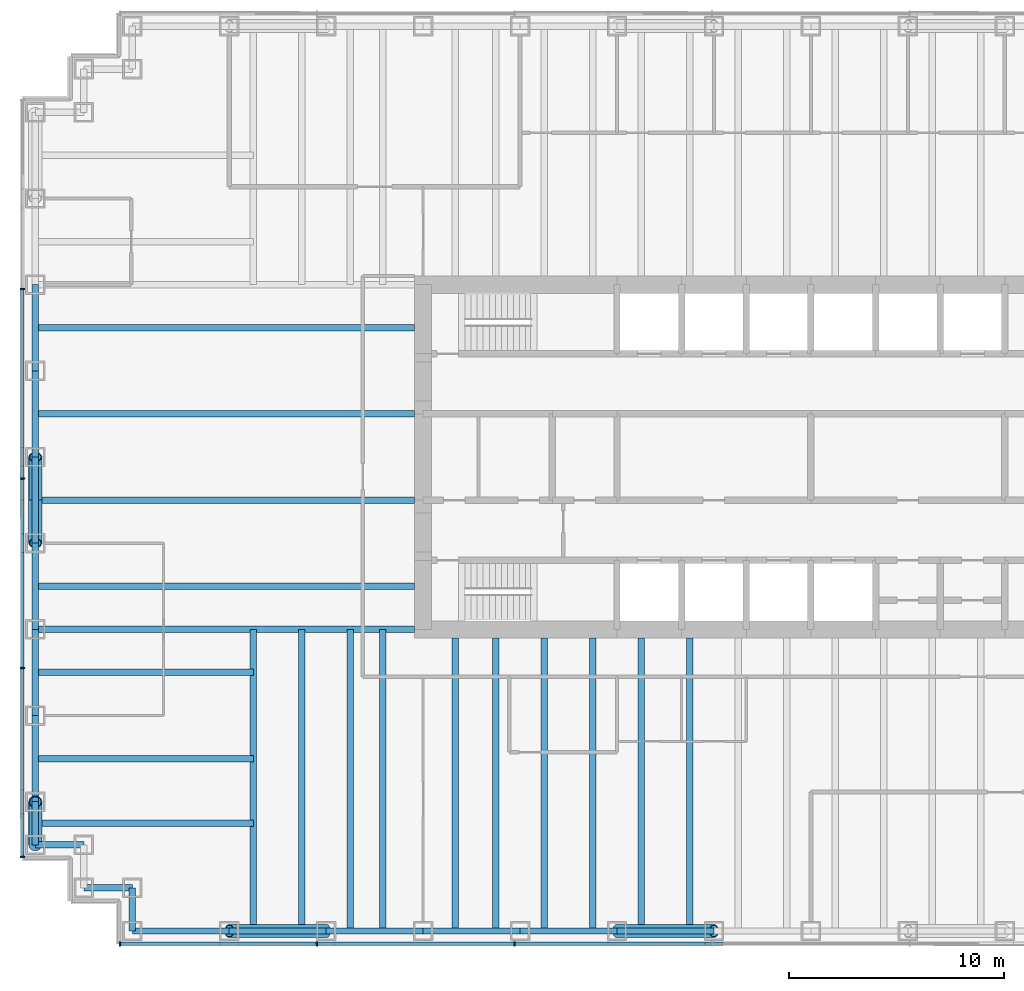
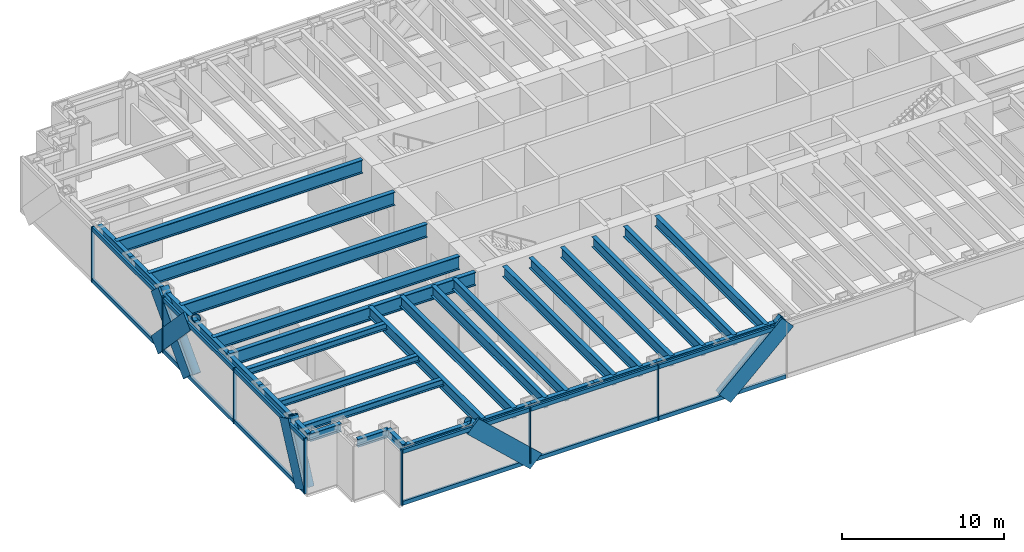
# One storey, part 2 of 15: 34 beams, 29 members, 2 elements without a shape of their own.
"""IFC4 building model written with IfcOpenShell, lengths in metres."""

from ifc_helpers import new_model, si_unit, direction, frame, origin, origin_2d, place, context, subcontext, project, spatial, rectangle, hollow_circle, i_section, extrude, material, material_profile, profile_set, type_object, element, aggregate, save


model = new_model("IFC4")

# Units and contexts
model_context = context("Model", 3, precision=1e-05, world=origin(), true_north=direction((0.0, 1.0)))
body_context = subcontext(model_context, "Body", "Model", "MODEL_VIEW")
ifc_project = project(units=[si_unit("LENGTHUNIT", "METRE"), si_unit("AREAUNIT", "SQUARE_METRE"), si_unit("VOLUMEUNIT", "CUBIC_METRE"), si_unit("PLANEANGLEUNIT", "RADIAN"), si_unit("MASSUNIT", "GRAM", prefix="KILO")], contexts=[model_context])

# Site, building, storey
site_placement = place(None, origin())
site = spatial("IfcSite", under=ifc_project, at=site_placement, CompositionType="ELEMENT")
building_placement = place(site_placement, origin())
building = spatial("IfcBuilding", under=site, at=building_placement, Name="Rheinbord Bourse Tower", CompositionType="ELEMENT")
storey_placement = place(building_placement, frame((0.0, 0.0, 236.199951171875)))
storey = spatial("IfcBuildingStorey", under=building, at=storey_placement, Name="L53", CompositionType="ELEMENT", Elevation=236.199951171875)

# Curtain wall, members
ifc_material_1 = material(Name="Dark glass and black aluminium", Category="aluminium")
curtain_wall_type = type_object("IfcCurtainWallType", Name="CW2 DARK GLASS CURTAIN WALL", PredefinedType="USERDEFINED", material=ifc_material_1)
curtain_wall_1_placement = place(storey_placement, origin())
curtain_wall_1 = element("IfcCurtainWall", 1, at=curtain_wall_1_placement, inside=storey, type_object=curtain_wall_type, Name="Curtain wall CW2 S L53", ObjectType="UNITISED CURTAIN WALL", PredefinedType="USERDEFINED")
ifc_material_2 = material(Name="Black anodised aluminium", Category="aluminium")
ifc_material_profile_1 = material_profile(ifc_material_2, rectangle(XDim=0.159912109375, YDim=1.2099609375, at=origin_2d()), Name="CW2 DIAGONAL MULLION 1210x160")
ifc_profile_set_1 = profile_set([ifc_material_profile_1], Name="Black anodised aluminium")
member_type_1 = type_object("IfcMemberType", Name="CW2 BLACK DIAGONAL MULLION", PredefinedType="USERDEFINED", material=ifc_profile_set_1)
member_1_placement = place(storey_placement, frame((13.5, 1.39990234375, 0.0), z_axis=(-0.73105922506, 0.0, 0.682314010889), x_axis=(0.0, -1.0, 0.0)))
member_1 = element("IfcMember", 2, at=member_1_placement, type_object=member_type_1, Name="CW2 diagonal mullion a", ObjectType="DIAGONAL MULLION", PredefinedType="USERDEFINED", context=body_context, shape_type="SweptSolid", body=[
    extrude(rectangle(XDim=0.159912109375, YDim=1.2099609375, at=origin_2d()), origin(), (0.0, 0.0, 1.0), 6.155517578125),
])
member_2_placement = place(storey_placement, frame((27.0, 1.39990234375, 0.0), z_axis=(0.73105922506, 0.0, 0.682314010889), x_axis=(0.0, 1.0, 0.0)))
member_2 = element("IfcMember", 3, at=member_2_placement, type_object=member_type_1, Name="CW2 diagonal mullion c", ObjectType="DIAGONAL MULLION", PredefinedType="USERDEFINED", context=body_context, shape_type="SweptSolid", body=[
    extrude(rectangle(XDim=0.159912109375, YDim=1.2099609375, at=origin_2d()), origin(), (0.0, 0.0, 1.0), 6.155517578125),
])

curtain_wall_2_placement = place(storey_placement, origin())
curtain_wall_2 = element("IfcCurtainWall", 4, at=curtain_wall_2_placement, inside=storey, type_object=curtain_wall_type, Name="Curtain wall CW2 W L53", ObjectType="UNITISED CURTAIN WALL", PredefinedType="USERDEFINED")
member_3_placement = place(storey_placement, frame((-0.60009765625, 6.0, 0.0), z_axis=(0.0, 0.429937654825, 0.902858578607), x_axis=(-1.0, 0.0, 0.0)))
member_3 = element("IfcMember", 5, at=member_3_placement, type_object=member_type_1, Name="CW2 diagonal mullion a", ObjectType="DIAGONAL MULLION", PredefinedType="USERDEFINED", context=body_context, shape_type="SweptSolid", body=[
    extrude(rectangle(XDim=0.159912109375, YDim=1.2099609375, at=origin_2d()), origin(), (0.0, 0.0, 1.0), 4.65185546875),
])
member_4_placement = place(storey_placement, frame((-0.60009765625, 20.0, 0.0), z_axis=(0.0, 0.689659376744, 0.724133926887), x_axis=(-1.0, 0.0, 0.0)))
member_4 = element("IfcMember", 6, at=member_4_placement, type_object=member_type_1, Name="CW2 diagonal mullion c", ObjectType="DIAGONAL MULLION", PredefinedType="USERDEFINED", context=body_context, shape_type="SweptSolid", body=[
    extrude(rectangle(XDim=0.159912109375, YDim=1.2099609375, at=origin_2d()), origin(), (0.0, 0.0, 1.0), 5.800048828125),
])
member_5_placement = place(storey_placement, frame((-0.60009765625, 24.0, 0.0), z_axis=(0.0, -0.689659376744, 0.724133926887), x_axis=(1.0, 0.0, 0.0)))
member_5 = element("IfcMember", 7, at=member_5_placement, type_object=member_type_1, Name="CW2 diagonal mullion d", ObjectType="DIAGONAL MULLION", PredefinedType="USERDEFINED", context=body_context, shape_type="SweptSolid", body=[
    extrude(rectangle(XDim=0.159912109375, YDim=1.2099609375, at=origin_2d()), origin(), (0.0, 0.0, 1.0), 5.800048828125),
])

# Member
ifc_material_3 = material(Name="Black anodised aluminium", Category="aluminium")
ifc_material_profile_2 = material_profile(ifc_material_3, rectangle(XDim=0.219970703125, YDim=0.070068359375, at=origin_2d()), Name="CW2 MULLION 70x220")
ifc_profile_set_2 = profile_set([ifc_material_profile_2], Name="Black anodised aluminium")
member_type_2 = type_object("IfcMemberType", Name="CW2 BLACK MULLION", PredefinedType="MULLION", material=ifc_profile_set_2)
member_6_placement = place(storey_placement, frame((3.93505859375, 1.39990234375, 0.0), z_axis=(0.0, 0.0, 1.0), x_axis=(0.0, 1.0, 0.0)))
member_6 = element("IfcMember", 8, at=member_6_placement, type_object=member_type_2, Name="CW2 mullion 1", PredefinedType="MULLION", context=body_context, shape_type="SweptSolid", body=[
    extrude(rectangle(XDim=0.219970703125, YDim=0.070068359375, at=origin_2d()), origin(), (0.0, 0.0, 1.0), 4.199951171875),
])

member_7_placement = place(storey_placement, frame((13.071533203125, 1.39990234375, 0.0), z_axis=(0.0, 0.0, 1.0), x_axis=(0.0, 1.0, 0.0)))
member_7 = element("IfcMember", 9, at=member_7_placement, type_object=member_type_2, Name="CW2 mullion 2", PredefinedType="MULLION", context=body_context, shape_type="SweptSolid", body=[
    extrude(rectangle(XDim=0.219970703125, YDim=0.070068359375, at=origin_2d()), origin(), (0.0, 0.0, 1.0), 4.199951171875),
])

member_8_placement = place(storey_placement, frame((22.242919921875, 1.39990234375, 0.0), z_axis=(0.0, 0.0, 1.0), x_axis=(0.0, 1.0, 0.0)))
member_8 = element("IfcMember", 10, at=member_8_placement, type_object=member_type_2, Name="CW2 mullion 3", PredefinedType="MULLION", context=body_context, shape_type="SweptSolid", body=[
    extrude(rectangle(XDim=0.219970703125, YDim=0.070068359375, at=origin_2d()), origin(), (0.0, 0.0, 1.0), 4.199951171875),
])

member_9_placement = place(storey_placement, frame((-0.60009765625, 31.800048828125, 0.0), z_axis=(0.0, 0.0, 1.0), x_axis=(1.0, 0.0, 0.0)))
member_9 = element("IfcMember", 11, at=member_9_placement, type_object=member_type_2, Name="CW2 mullion 2", PredefinedType="MULLION", context=body_context, shape_type="SweptSolid", body=[
    extrude(rectangle(XDim=0.219970703125, YDim=0.070068359375, at=origin_2d()), origin(), (0.0, 0.0, 1.0), 4.199951171875),
])

member_10_placement = place(storey_placement, frame((-0.60009765625, 23.0, 0.0), z_axis=(0.0, 0.0, 1.0), x_axis=(1.0, 0.0, 0.0)))
member_10 = element("IfcMember", 12, at=member_10_placement, type_object=member_type_2, Name="CW2 mullion 3", PredefinedType="MULLION", context=body_context, shape_type="SweptSolid", body=[
    extrude(rectangle(XDim=0.219970703125, YDim=0.070068359375, at=origin_2d()), origin(), (0.0, 0.0, 1.0), 4.199951171875),
])

member_11_placement = place(storey_placement, frame((-0.60009765625, 14.199951171875, 0.0), z_axis=(0.0, 0.0, 1.0), x_axis=(1.0, 0.0, 0.0)))
member_11 = element("IfcMember", 13, at=member_11_placement, type_object=member_type_2, Name="CW2 mullion 4", PredefinedType="MULLION", context=body_context, shape_type="SweptSolid", body=[
    extrude(rectangle(XDim=0.219970703125, YDim=0.070068359375, at=origin_2d()), origin(), (0.0, 0.0, 1.0), 4.199951171875),
])

member_12_placement = place(storey_placement, frame((-0.60009765625, 5.43505859375, 0.0), z_axis=(0.0, 0.0, 1.0), x_axis=(1.0, 0.0, 0.0)))
member_12 = element("IfcMember", 14, at=member_12_placement, type_object=member_type_2, Name="CW2 mullion 5", PredefinedType="MULLION", context=body_context, shape_type="SweptSolid", body=[
    extrude(rectangle(XDim=0.219970703125, YDim=0.070068359375, at=origin_2d()), origin(), (0.0, 0.0, 1.0), 4.199951171875),
])

ifc_material_4 = material(Name="Black anodised aluminium", Category="aluminium")
ifc_material_profile_3 = material_profile(ifc_material_4, rectangle(XDim=0.159912109375, YDim=0.300048828125, at=origin_2d()), Name="CW2 TRANSOM 300x160")
ifc_profile_set_3 = profile_set([ifc_material_profile_3], Name="Black anodised aluminium")
member_type_3 = type_object("IfcMemberType", Name="CW2 BLACK TRANSOM", PredefinedType="USERDEFINED", material=ifc_profile_set_3)
member_13_placement = place(storey_placement, frame((3.969970703125, 1.39990234375, 0.150146484375), z_axis=(1.0, 0.0, 0.0), x_axis=(0.0, 1.0, 0.0)))
member_13 = element("IfcMember", 15, at=member_13_placement, type_object=member_type_3, Name="CW2 transom 1.1", ObjectType="TRANSOM", PredefinedType="USERDEFINED", context=body_context, shape_type="SweptSolid", body=[
    extrude(rectangle(XDim=0.159912109375, YDim=0.300048828125, at=origin_2d()), origin(), (0.0, 0.0, 1.0), 9.06640625),
])

member_14_placement = place(storey_placement, frame((3.969970703125, 1.39990234375, 4.050048828125), z_axis=(1.0, 0.0, 0.0), x_axis=(0.0, 1.0, 0.0)))
member_14 = element("IfcMember", 16, at=member_14_placement, type_object=member_type_3, Name="CW2 transom 1.2", ObjectType="TRANSOM", PredefinedType="USERDEFINED", context=body_context, shape_type="SweptSolid", body=[
    extrude(rectangle(XDim=0.159912109375, YDim=0.300048828125, at=origin_2d()), origin(), (0.0, 0.0, 1.0), 9.06640625),
])

member_15_placement = place(storey_placement, frame((13.1064453125, 1.39990234375, 0.150146484375), z_axis=(1.0, 0.0, 0.0), x_axis=(0.0, 1.0, 0.0)))
member_15 = element("IfcMember", 17, at=member_15_placement, type_object=member_type_3, Name="CW2 transom 2.1", ObjectType="TRANSOM", PredefinedType="USERDEFINED", context=body_context, shape_type="SweptSolid", body=[
    extrude(rectangle(XDim=0.159912109375, YDim=0.300048828125, at=origin_2d()), origin(), (0.0, 0.0, 1.0), 9.101318359375),
])

member_16_placement = place(storey_placement, frame((13.1064453125, 1.39990234375, 4.050048828125), z_axis=(1.0, 0.0, 0.0), x_axis=(0.0, 1.0, 0.0)))
member_16 = element("IfcMember", 18, at=member_16_placement, type_object=member_type_3, Name="CW2 transom 2.2", ObjectType="TRANSOM", PredefinedType="USERDEFINED", context=body_context, shape_type="SweptSolid", body=[
    extrude(rectangle(XDim=0.159912109375, YDim=0.300048828125, at=origin_2d()), origin(), (0.0, 0.0, 1.0), 9.101318359375),
])

member_17_placement = place(storey_placement, frame((22.27783203125, 1.39990234375, 0.150146484375), z_axis=(1.0, 0.0, 0.0), x_axis=(0.0, 1.0, 0.0)))
member_17 = element("IfcMember", 19, at=member_17_placement, type_object=member_type_3, Name="CW2 transom 3.1", ObjectType="TRANSOM", PredefinedType="USERDEFINED", context=body_context, shape_type="SweptSolid", body=[
    extrude(rectangle(XDim=0.159912109375, YDim=0.300048828125, at=origin_2d()), origin(), (0.0, 0.0, 1.0), 9.1015625),
])

member_18_placement = place(storey_placement, frame((22.27783203125, 1.39990234375, 4.050048828125), z_axis=(1.0, 0.0, 0.0), x_axis=(0.0, 1.0, 0.0)))
member_18 = element("IfcMember", 20, at=member_18_placement, type_object=member_type_3, Name="CW2 transom 3.2", ObjectType="TRANSOM", PredefinedType="USERDEFINED", context=body_context, shape_type="SweptSolid", body=[
    extrude(rectangle(XDim=0.159912109375, YDim=0.300048828125, at=origin_2d()), origin(), (0.0, 0.0, 1.0), 9.1015625),
])

aggregate(curtain_wall_1, [member_6, member_7, member_8, member_13, member_14, member_15, member_16, member_17, member_18, member_1, member_2])

member_19_placement = place(storey_placement, frame((-0.60009765625, 31.764892578125, 0.150146484375), z_axis=(0.0, -1.0, 0.0), x_axis=(1.0, 0.0, 0.0)))
member_19 = element("IfcMember", 21, at=member_19_placement, type_object=member_type_3, Name="CW2 transom 2.1", ObjectType="TRANSOM", PredefinedType="USERDEFINED", context=body_context, shape_type="SweptSolid", body=[
    extrude(rectangle(XDim=0.159912109375, YDim=0.300048828125, at=origin_2d()), origin(), (0.0, 0.0, 1.0), 8.72998046875),
])

member_20_placement = place(storey_placement, frame((-0.60009765625, 31.764892578125, 4.050048828125), z_axis=(0.0, -1.0, 0.0), x_axis=(1.0, 0.0, 0.0)))
member_20 = element("IfcMember", 22, at=member_20_placement, type_object=member_type_3, Name="CW2 transom 2.2", ObjectType="TRANSOM", PredefinedType="USERDEFINED", context=body_context, shape_type="SweptSolid", body=[
    extrude(rectangle(XDim=0.159912109375, YDim=0.300048828125, at=origin_2d()), origin(), (0.0, 0.0, 1.0), 8.72998046875),
])

member_21_placement = place(storey_placement, frame((-0.60009765625, 22.965087890625, 0.150146484375), z_axis=(0.0, -1.0, 0.0), x_axis=(1.0, 0.0, 0.0)))
member_21 = element("IfcMember", 23, at=member_21_placement, type_object=member_type_3, Name="CW2 transom 3.1", ObjectType="TRANSOM", PredefinedType="USERDEFINED", context=body_context, shape_type="SweptSolid", body=[
    extrude(rectangle(XDim=0.159912109375, YDim=0.300048828125, at=origin_2d()), origin(), (0.0, 0.0, 1.0), 8.72998046875),
])

member_22_placement = place(storey_placement, frame((-0.60009765625, 22.965087890625, 4.050048828125), z_axis=(0.0, -1.0, 0.0), x_axis=(1.0, 0.0, 0.0)))
member_22 = element("IfcMember", 24, at=member_22_placement, type_object=member_type_3, Name="CW2 transom 3.2", ObjectType="TRANSOM", PredefinedType="USERDEFINED", context=body_context, shape_type="SweptSolid", body=[
    extrude(rectangle(XDim=0.159912109375, YDim=0.300048828125, at=origin_2d()), origin(), (0.0, 0.0, 1.0), 8.72998046875),
])

member_23_placement = place(storey_placement, frame((-0.60009765625, 14.1650390625, 0.150146484375), z_axis=(0.0, -1.0, 0.0), x_axis=(1.0, 0.0, 0.0)))
member_23 = element("IfcMember", 25, at=member_23_placement, type_object=member_type_3, Name="CW2 transom 4.1", ObjectType="TRANSOM", PredefinedType="USERDEFINED", context=body_context, shape_type="SweptSolid", body=[
    extrude(rectangle(XDim=0.159912109375, YDim=0.300048828125, at=origin_2d()), origin(), (0.0, 0.0, 1.0), 8.695068359375),
])

member_24_placement = place(storey_placement, frame((-0.60009765625, 14.1650390625, 4.050048828125), z_axis=(0.0, -1.0, 0.0), x_axis=(1.0, 0.0, 0.0)))
member_24 = element("IfcMember", 26, at=member_24_placement, type_object=member_type_3, Name="CW2 transom 4.2", ObjectType="TRANSOM", PredefinedType="USERDEFINED", context=body_context, shape_type="SweptSolid", body=[
    extrude(rectangle(XDim=0.159912109375, YDim=0.300048828125, at=origin_2d()), origin(), (0.0, 0.0, 1.0), 8.695068359375),
])

aggregate(curtain_wall_2, [member_9, member_10, member_11, member_12, member_19, member_20, member_21, member_22, member_23, member_24, member_3, member_4, member_5])

# Beams
ifc_material_5 = material(Name="Steel S460", Category="steel")
ifc_material_profile_4 = material_profile(ifc_material_5, i_section(OverallWidth=0.302001953125, OverallDepth=1.008056640625, WebThickness=0.02099609375, FlangeThickness=0.0400390625, at=origin_2d()), Name="HEM 1000")
ifc_profile_set_4 = profile_set([ifc_material_profile_4], Name="Steel S460")
beam_type_1 = type_object("IfcBeamType", Name="END BEAM HEM 1000", PredefinedType="BEAM", material=ifc_profile_set_4)
for number, where, z_axis, x_axis, name in (
    (27, (0.0, 18.0, 3.5361328125), (1.0, 0.0, 0.0), (0.0, 1.0, 0.0), "End beam west 18 L54"),
    (28, (0.0, 22.0, 3.5361328125), (1.0, 0.0, 0.0), (0.0, 1.0, 0.0), "End beam west 22 L54"),
    (29, (0.0, 26.0, 3.5361328125), (1.0, 0.0, 0.0), (0.0, 1.0, 0.0), "End beam west 26 L54"),
    (30, (0.0, 30.0, 3.5361328125), (1.0, 0.0, 0.0), (0.0, 1.0, 0.0), "End beam west 30 L54"),
):
    element("IfcBeam", number, at=place(storey_placement, frame(where, z_axis=z_axis, x_axis=x_axis)), inside=storey, type_object=beam_type_1, Name=name, PredefinedType="BEAM", context=body_context, shape_type="SweptSolid", body=[
        extrude(i_section(OverallWidth=0.302001953125, OverallDepth=1.008056640625, WebThickness=0.02099609375, FlangeThickness=0.0400390625, at=origin_2d()), origin(), (0.0, 0.0, 1.0), 17.60009765625),
    ])
ifc_material_6 = material(Name="Steel S460", Category="steel")
ifc_material_profile_5 = material_profile(ifc_material_6, i_section(OverallWidth=0.300048828125, OverallDepth=0.800048828125, WebThickness=0.017578125, FlangeThickness=0.032958984375, at=origin_2d()), Name="HEB 800")
ifc_profile_set_5 = profile_set([ifc_material_profile_5], Name="Steel S460")
beam_type_2 = type_object("IfcBeamType", Name="FLOOR BEAM HEB 800", PredefinedType="BEAM", material=ifc_profile_set_5)
for number, where, z_axis, x_axis, name in (
    (31, (10.125, 2.0, 3.64013671875), (0.0, 1.0, 0.0), (-1.0, 0.0, 0.0), "Floor beam S-9a L54"),
    (32, (12.375, 2.0, 3.64013671875), (0.0, 1.0, 0.0), (-1.0, 0.0, 0.0), "Floor beam S-9b L54"),
    (33, (14.625, 2.0, 3.64013671875), (0.0, 1.0, 0.0), (-1.0, 0.0, 0.0), "Floor beam S-13.5a L54"),
    (34, (16.125, 2.0, 3.64013671875), (0.0, 1.0, 0.0), (-1.0, 0.0, 0.0), "Floor beam S-13.5b L54"),
):
    element("IfcBeam", number, at=place(storey_placement, frame(where, z_axis=z_axis, x_axis=x_axis)), inside=storey, type_object=beam_type_2, Name=name, PredefinedType="BEAM", context=body_context, shape_type="SweptSolid", body=[
        extrude(i_section(OverallWidth=0.300048828125, OverallDepth=0.800048828125, WebThickness=0.017578125, FlangeThickness=0.032958984375, at=origin_2d()), origin(), (0.0, 0.0, 1.0), 14.0),
    ])
for number, where, z_axis, x_axis, name in (
    (35, (19.5, 2.0, 3.64013671875), (0.0, 1.0, 0.0), (-1.0, 0.0, 0.0), "Floor beam S-18a L54"),
    (36, (21.375, 2.0, 3.64013671875), (0.0, 1.0, 0.0), (-1.0, 0.0, 0.0), "Floor beam S-18b L54"),
    (37, (23.625, 2.0, 3.64013671875), (0.0, 1.0, 0.0), (-1.0, 0.0, 0.0), "Floor beam S-22.5a L54"),
    (38, (25.875, 2.0, 3.64013671875), (0.0, 1.0, 0.0), (-1.0, 0.0, 0.0), "Floor beam S-22.5b L54"),
    (39, (28.125, 2.0, 3.64013671875), (0.0, 1.0, 0.0), (-1.0, 0.0, 0.0), "Floor beam S-27a L54"),
    (40, (30.375, 2.0, 3.64013671875), (0.0, 1.0, 0.0), (-1.0, 0.0, 0.0), "Floor beam S-27b L54"),
):
    element("IfcBeam", number, at=place(storey_placement, frame(where, z_axis=z_axis, x_axis=x_axis)), inside=storey, type_object=beam_type_2, Name=name, PredefinedType="BEAM", context=body_context, shape_type="SweptSolid", body=[
        extrude(i_section(OverallWidth=0.300048828125, OverallDepth=0.800048828125, WebThickness=0.017578125, FlangeThickness=0.032958984375, at=origin_2d()), origin(), (0.0, 0.0, 1.0), 13.60009765625),
    ])
ifc_material_7 = material(Name="Steel S460", Category="steel")
ifc_material_profile_6 = material_profile(ifc_material_7, i_section(OverallWidth=0.302001953125, OverallDepth=1.008056640625, WebThickness=0.02099609375, FlangeThickness=0.0400390625, at=origin_2d()), Name="HEM 1000")
ifc_profile_set_6 = profile_set([ifc_material_profile_6], Name="Steel S460")
beam_type_3 = type_object("IfcBeamType", Name="GIRDER HEM 1000", PredefinedType="BEAM", material=ifc_profile_set_6)
beam_1_placement = place(storey_placement, frame((0.0, 16.0, 3.5361328125), z_axis=(1.0, 0.0, 0.0), x_axis=(0.0, 1.0, 0.0)))
element("IfcBeam", 41, at=beam_1_placement, inside=storey, type_object=beam_type_3, Name="Girder west 16 L54", PredefinedType="BEAM", context=body_context, shape_type="SweptSolid", body=[
    extrude(i_section(OverallWidth=0.302001953125, OverallDepth=1.008056640625, WebThickness=0.02099609375, FlangeThickness=0.0400390625, at=origin_2d()), origin(), (0.0, 0.0, 1.0), 17.60009765625),
])

# Members
ifc_material_8 = material(Name="Steel S460", Category="steel")
ifc_material_profile_7 = material_profile(ifc_material_8, hollow_circle(Radius=0.304931640625, WallThickness=0.0400390625, at=origin_2d()), Name="CHS 610x40")
ifc_profile_set_7 = profile_set([ifc_material_profile_7], Name="Steel S460")
member_type_4 = type_object("IfcMemberType", Name="MEGABRACE CHS 610x40", PredefinedType="BRACE", material=ifc_profile_set_7)
for number, where, z_axis, x_axis, name in (
    (42, (13.5, 2.0, 0.0), (-0.73105922506, 0.0, 0.682314010889), (0.0, -1.0, 0.0), "Megabrace S face line a L53"),
    (43, (27.0, 2.0, 0.0), (0.73105922506, 0.0, 0.682314010889), (0.0, 1.0, 0.0), "Megabrace S face line c L53"),
):
    element("IfcMember", number, at=place(storey_placement, frame(where, z_axis=z_axis, x_axis=x_axis)), inside=storey, type_object=member_type_4, Name=name, PredefinedType="BRACE", context=body_context, shape_type="SweptSolid", body=[
        extrude(hollow_circle(Radius=0.304931640625, WallThickness=0.0400390625, at=origin_2d()), origin(), (0.0, 0.0, 1.0), 6.155517578125),
    ])
member_25_placement = place(storey_placement, frame((0.0, 6.0, 0.0), z_axis=(0.0, 0.429937654825, 0.902858578607), x_axis=(-1.0, 0.0, 0.0)))
element("IfcMember", 44, at=member_25_placement, inside=storey, type_object=member_type_4, Name="Megabrace W face line a L53", PredefinedType="BRACE", context=body_context, shape_type="SweptSolid", body=[
    extrude(hollow_circle(Radius=0.304931640625, WallThickness=0.0400390625, at=origin_2d()), origin(), (0.0, 0.0, 1.0), 4.65185546875),
])
for number, where, z_axis, x_axis, name in (
    (45, (0.0, 20.0, 0.0), (0.0, 0.689659376744, 0.724133926887), (-1.0, 0.0, 0.0), "Megabrace W face line c L53"),
    (46, (0.0, 24.0, 0.0), (0.0, -0.689659376744, 0.724133926887), (1.0, 0.0, 0.0), "Megabrace W face line d L53"),
):
    element("IfcMember", number, at=place(storey_placement, frame(where, z_axis=z_axis, x_axis=x_axis)), inside=storey, type_object=member_type_4, Name=name, PredefinedType="BRACE", context=body_context, shape_type="SweptSolid", body=[
        extrude(hollow_circle(Radius=0.304931640625, WallThickness=0.0400390625, at=origin_2d()), origin(), (0.0, 0.0, 1.0), 5.800048828125),
    ])

# Beams
ifc_material_9 = material(Name="Steel S460", Category="steel")
ifc_material_profile_8 = material_profile(ifc_material_9, i_section(OverallWidth=0.300048828125, OverallDepth=0.60009765625, WebThickness=0.015380859375, FlangeThickness=0.030029296875, at=origin_2d()), Name="HEB 600")
ifc_profile_set_8 = profile_set([ifc_material_profile_8], Name="Steel S460")
beam_type_4 = type_object("IfcBeamType", Name="SPANDREL HEB 600", PredefinedType="SPANDREL", material=ifc_profile_set_8)
for number, where, z_axis, x_axis, name in (
    (47, (4.5, 2.0, 3.739990234375), (1.0, 0.0, 0.0), (0.0, 1.0, 0.0), "Spandrel SW-E-S-9 under L54"),
    (48, (9.0, 2.0, 3.739990234375), (1.0, 0.0, 0.0), (0.0, 1.0, 0.0), "Spandrel S-9-S-13.5 under L54"),
    (49, (13.5, 2.0, 3.739990234375), (1.0, 0.0, 0.0), (0.0, 1.0, 0.0), "Spandrel S-13.5-S-18 under L54"),
    (50, (18.0, 2.0, 3.739990234375), (1.0, 0.0, 0.0), (0.0, 1.0, 0.0), "Spandrel S-18-S-22.5 under L54"),
    (51, (22.5, 2.0, 3.739990234375), (1.0, 0.0, 0.0), (0.0, 1.0, 0.0), "Spandrel S-22.5-S-27 under L54"),
    (52, (27.0, 2.0, 3.739990234375), (1.0, 0.0, 0.0), (0.0, 1.0, 0.0), "Spandrel S-27-S-31.5 under L54"),
):
    element("IfcBeam", number, at=place(storey_placement, frame(where, z_axis=z_axis, x_axis=x_axis)), inside=storey, type_object=beam_type_4, Name=name, PredefinedType="SPANDREL", context=body_context, shape_type="SweptSolid", body=[
        extrude(i_section(OverallWidth=0.300048828125, OverallDepth=0.60009765625, WebThickness=0.015380859375, FlangeThickness=0.030029296875, at=origin_2d()), origin(), (0.0, 0.0, 1.0), 4.5),
    ])
for number, where, z_axis, x_axis, name in (
    (53, (0.0, 32.0, 3.739990234375), (0.0, -1.0, 0.0), (1.0, 0.0, 0.0), "Spandrel W-32-W-28 under L54"),
    (54, (0.0, 28.0, 3.739990234375), (0.0, -1.0, 0.0), (1.0, 0.0, 0.0), "Spandrel W-28-W-24 under L54"),
    (55, (0.0, 24.0, 3.739990234375), (0.0, -1.0, 0.0), (1.0, 0.0, 0.0), "Spandrel W-24-W-20 under L54"),
    (56, (0.0, 20.0, 3.739990234375), (0.0, -1.0, 0.0), (1.0, 0.0, 0.0), "Spandrel W-20-W-16 under L54"),
    (57, (0.0, 16.0, 3.739990234375), (0.0, -1.0, 0.0), (1.0, 0.0, 0.0), "Spandrel W-16-W-12 under L54"),
    (58, (0.0, 12.0, 3.739990234375), (0.0, -1.0, 0.0), (1.0, 0.0, 0.0), "Spandrel W-12-W-8 under L54"),
):
    element("IfcBeam", number, at=place(storey_placement, frame(where, z_axis=z_axis, x_axis=x_axis)), inside=storey, type_object=beam_type_4, Name=name, PredefinedType="SPANDREL", context=body_context, shape_type="SweptSolid", body=[
        extrude(i_section(OverallWidth=0.300048828125, OverallDepth=0.60009765625, WebThickness=0.015380859375, FlangeThickness=0.030029296875, at=origin_2d()), origin(), (0.0, 0.0, 1.0), 4.0),
    ])
beam_2_placement = place(storey_placement, frame((0.0, 8.0, 3.739990234375), z_axis=(0.0, -1.0, 0.0), x_axis=(1.0, 0.0, 0.0)))
element("IfcBeam", 59, at=beam_2_placement, inside=storey, type_object=beam_type_4, Name="Spandrel W-8-SW-A under L54", PredefinedType="SPANDREL", context=body_context, shape_type="SweptSolid", body=[
    extrude(i_section(OverallWidth=0.300048828125, OverallDepth=0.60009765625, WebThickness=0.015380859375, FlangeThickness=0.030029296875, at=origin_2d()), origin(), (0.0, 0.0, 1.0), 2.0),
])
for number, where, z_axis, x_axis, name in (
    (60, (0.0, 6.0, 3.739990234375), (1.0, 0.0, 0.0), (0.0, 1.0, 0.0), "Spandrel SW-A-SW-B under L54"),
    (61, (2.25, 4.0, 3.739990234375), (1.0, 0.0, 0.0), (0.0, 1.0, 0.0), "Spandrel SW-C-SW-D under L54"),
):
    element("IfcBeam", number, at=place(storey_placement, frame(where, z_axis=z_axis, x_axis=x_axis)), inside=storey, type_object=beam_type_4, Name=name, PredefinedType="SPANDREL", context=body_context, shape_type="SweptSolid", body=[
        extrude(i_section(OverallWidth=0.300048828125, OverallDepth=0.60009765625, WebThickness=0.015380859375, FlangeThickness=0.030029296875, at=origin_2d()), origin(), (0.0, 0.0, 1.0), 2.25),
    ])
beam_3_placement = place(storey_placement, frame((4.5, 4.0, 3.739990234375), z_axis=(0.0, -1.0, 0.0), x_axis=(1.0, 0.0, 0.0)))
element("IfcBeam", 62, at=beam_3_placement, inside=storey, type_object=beam_type_4, Name="Spandrel SW-D-SW-E under L54", PredefinedType="SPANDREL", context=body_context, shape_type="SweptSolid", body=[
    extrude(i_section(OverallWidth=0.300048828125, OverallDepth=0.60009765625, WebThickness=0.015380859375, FlangeThickness=0.030029296875, at=origin_2d()), origin(), (0.0, 0.0, 1.0), 2.0),
])
ifc_material_10 = material(Name="Steel S460", Category="steel")
ifc_material_profile_9 = material_profile(ifc_material_10, i_section(OverallWidth=0.300048828125, OverallDepth=0.5, WebThickness=0.014404296875, FlangeThickness=0.028076171875, at=origin_2d()), Name="HEB 500")
ifc_profile_set_9 = profile_set([ifc_material_profile_9], Name="Steel S460")
beam_type_5 = type_object("IfcBeamType", Name="TIE BEAM HEB 500", PredefinedType="JOIST", material=ifc_profile_set_9)
for number, where, z_axis, x_axis, name in (
    (63, (0.0, 7.0, 3.7900390625), (1.0, 0.0, 0.0), (0.0, 1.0, 0.0), "Tie west 7 L54"),
    (64, (0.0, 10.0, 3.7900390625), (1.0, 0.0, 0.0), (0.0, 1.0, 0.0), "Tie west 10 L54"),
    (65, (0.0, 14.0, 3.7900390625), (1.0, 0.0, 0.0), (0.0, 1.0, 0.0), "Tie west 14 L54"),
):
    element("IfcBeam", number, at=place(storey_placement, frame(where, z_axis=z_axis, x_axis=x_axis)), inside=storey, type_object=beam_type_5, Name=name, PredefinedType="JOIST", context=body_context, shape_type="SweptSolid", body=[
        extrude(i_section(OverallWidth=0.300048828125, OverallDepth=0.5, WebThickness=0.014404296875, FlangeThickness=0.028076171875, at=origin_2d()), origin(), (0.0, 0.0, 1.0), 10.125),
    ])

save(model, "model.ifc")
